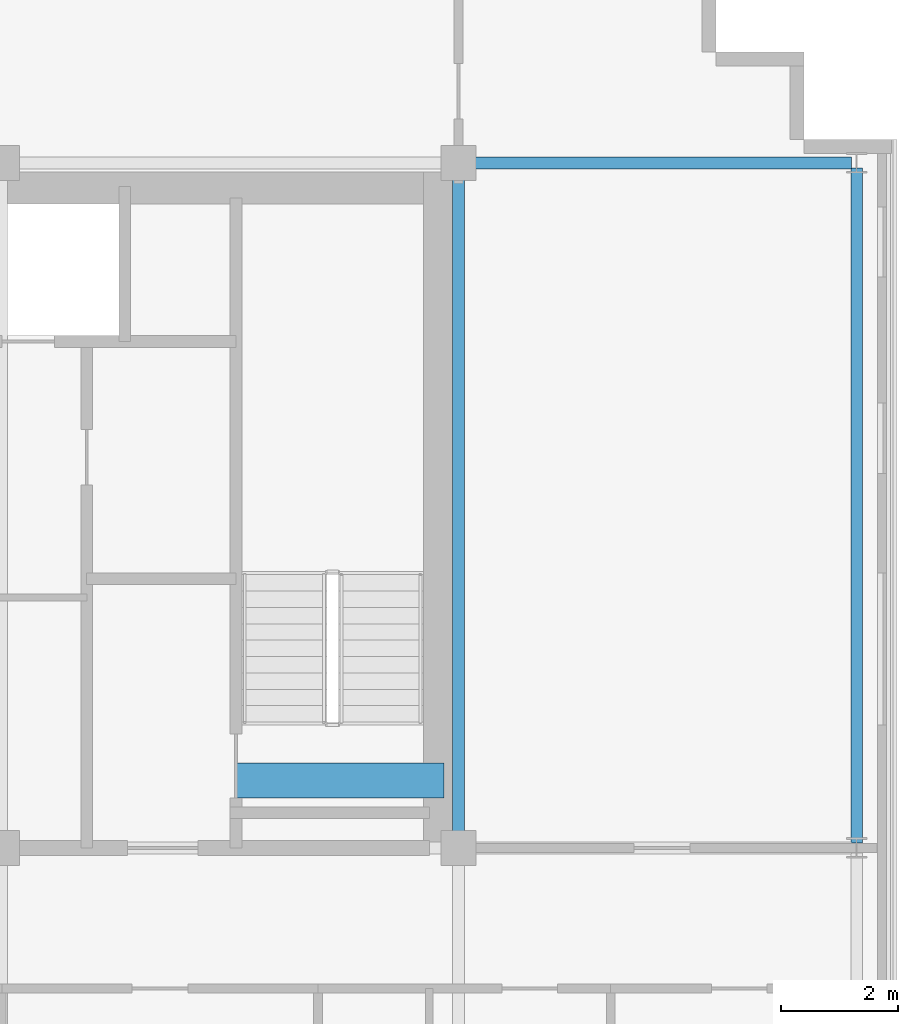
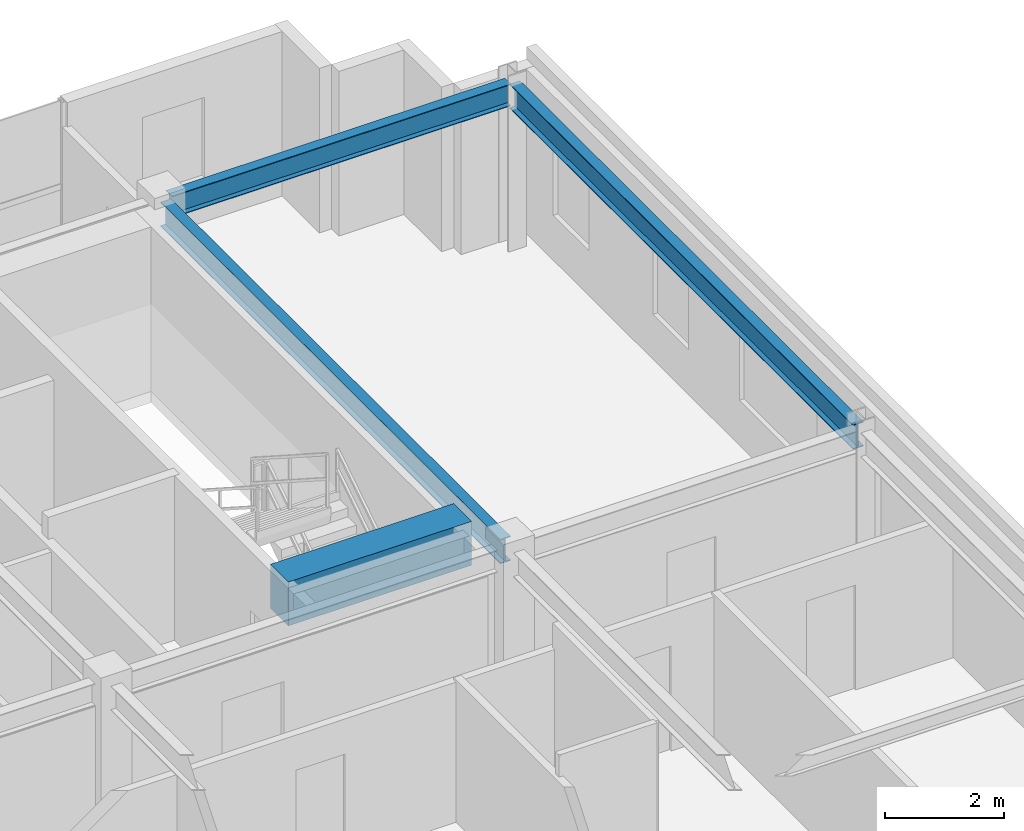
# One storey, part 13 of 23: 4 beams.
"""IFC4 building model written with IfcOpenShell, lengths in metres."""

from ifc_helpers import new_model, si_unit, direction, frame, origin, origin_2d, place, context, subcontext, project, spatial, rectangle, i_section, extrude, source, transform, mapped, material, material_profile, profile_set, type_object, element, save


model = new_model("IFC4")

# Units and contexts
model_context = context("Model", 3, precision=1e-05, world=origin(), true_north=direction((0.0, 1.0)))
body_context = subcontext(model_context, "Body", "Model", "MODEL_VIEW")
ifc_project = project(units=[si_unit("LENGTHUNIT", "METRE"), si_unit("AREAUNIT", "SQUARE_METRE"), si_unit("VOLUMEUNIT", "CUBIC_METRE"), si_unit("PLANEANGLEUNIT", "RADIAN"), si_unit("MASSUNIT", "GRAM", prefix="KILO")], contexts=[model_context])

# Site, building, storey
site_placement = place(None, origin())
site = spatial("IfcSite", under=ifc_project, at=site_placement, CompositionType="ELEMENT")
building_placement = place(site_placement, origin())
building = spatial("IfcBuilding", under=site, at=building_placement, Name="Trelvane Seafront Commons", CompositionType="ELEMENT")
storey_placement = place(building_placement, frame((0.0, 0.0, 263.10009765625)))
storey = spatial("IfcBuildingStorey", under=building, at=storey_placement, Name="L68", CompositionType="ELEMENT", Elevation=263.10009765625)

# Beams
ifc_material_1 = material(Name="Concrete C60/75", Category="concrete")
ifc_material_profile_1 = material_profile(ifc_material_1, rectangle(XDim=0.60009765625, YDim=0.89990234375, at=origin_2d()), Name="RC-600x900")
ifc_profile_set_1 = profile_set([ifc_material_profile_1], Name="Concrete C60/75")
beam_type_1 = type_object("IfcBeamType", Name="STR-LNT-RC600x900", PredefinedType="LINTEL", material=ifc_profile_set_1)
shared_shape_1 = source(origin(), body_context, "Body", "SweptSolid", [
    extrude(rectangle(XDim=0.60009765625, YDim=0.89990234375, at=origin_2d()), origin(), (0.0, 0.0, 1.0), 3.550048828125),
])
beam_1_placement = place(storey_placement, frame((55.0, 34.550048828125, 2.919921875), z_axis=(1.0, 0.0, 0.0), x_axis=(0.0, 1.0, 0.0)))
element("IfcBeam", 1, at=beam_1_placement, inside=storey, type_object=beam_type_1, Name="L68 Core Coupling Lintel Beam CB-68", PredefinedType="LINTEL", context=body_context, shape_type="MappedRepresentation", body=[
    mapped(shared_shape_1, transform((0.0, 0.0, 0.0), x_axis=(1.0, 0.0, 0.0), y_axis=(0.0, 1.0, 0.0), z_axis=(0.0, 0.0, 1.0), scale=1.0)),
])
ifc_material_2 = material(Name="Steel SM355 (S355)", Category="steel")
ifc_material_profile_2 = material_profile(ifc_material_2, i_section(OverallWidth=0.199951171875, OverallDepth=0.5, WebThickness=0.010009765625, FlangeThickness=0.01611328125, at=origin_2d()), Name="H-500x200x10x16")
ifc_profile_set_2 = profile_set([ifc_material_profile_2], Name="Steel SM355 (S355)")
beam_type_2 = type_object("IfcBeamType", Name="STR-BM-H500", PredefinedType="BEAM", material=ifc_profile_set_2)
shared_shape_2 = source(origin(), body_context, "Body", "SweptSolid", [
    extrude(i_section(OverallWidth=0.199951171875, OverallDepth=0.5, WebThickness=0.010009765625, FlangeThickness=0.01611328125, at=origin_2d()), origin(), (0.0, 0.0, 1.0), 11.39990234375),
])
beam_2_placement = place(storey_placement, frame((58.800048828125, 33.550048828125, 3.119873046875), z_axis=(0.0, 1.0, 0.0), x_axis=(-1.0, 0.0, 0.0)))
element("IfcBeam", 2, at=beam_2_placement, inside=storey, type_object=beam_type_2, Name="L68 Primary Girder G-49", PredefinedType="BEAM", context=body_context, shape_type="MappedRepresentation", body=[
    mapped(shared_shape_2, transform((0.0, 0.0, 0.0), x_axis=(1.0, 0.0, 0.0), y_axis=(0.0, 1.0, 0.0), z_axis=(0.0, 0.0, 1.0), scale=1.0)),
])
ifc_material_profile_3 = material_profile(ifc_material_2, i_section(OverallWidth=0.199951171875, OverallDepth=0.449951171875, WebThickness=0.009033203125, FlangeThickness=0.013916015625, at=origin_2d()), Name="H-450x200x9x14")
ifc_profile_set_3 = profile_set([ifc_material_profile_3], Name="Steel SM355 (S355)")
beam_type_3 = type_object("IfcBeamType", Name="STR-SPD-H450", PredefinedType="SPANDREL", material=ifc_profile_set_3)
shared_shape_3 = source(origin(), body_context, "Body", "SweptSolid", [
    extrude(i_section(OverallWidth=0.199951171875, OverallDepth=0.449951171875, WebThickness=0.009033203125, FlangeThickness=0.013916015625, at=origin_2d()), origin(), (0.0, 0.0, 1.0), 6.5625),
])
beam_3_placement = place(storey_placement, frame((58.949951171875, 45.10009765625, 3.14501953125), z_axis=(1.0, 0.0, 0.0), x_axis=(0.0, 1.0, 0.0)))
element("IfcBeam", 3, at=beam_3_placement, inside=storey, type_object=beam_type_3, Name="L68 Primary Girder G-28", PredefinedType="SPANDREL", context=body_context, shape_type="MappedRepresentation", body=[
    mapped(shared_shape_3, transform((0.0, 0.0, 0.0), x_axis=(1.0, 0.0, 0.0), y_axis=(0.0, 1.0, 0.0), z_axis=(0.0, 0.0, 1.0), scale=1.0)),
])
shared_shape_4 = source(origin(), body_context, "Body", "SweptSolid", [
    extrude(i_section(OverallWidth=0.199951171875, OverallDepth=0.5, WebThickness=0.010009765625, FlangeThickness=0.01611328125, at=origin_2d()), origin(), (0.0, 0.0, 1.0), 11.52490234375),
])
beam_4_placement = place(storey_placement, frame((65.60009765625, 33.487548828125, 3.119873046875), z_axis=(0.0, 1.0, 0.0), x_axis=(-1.0, 0.0, 0.0)))
element("IfcBeam", 4, at=beam_4_placement, inside=storey, type_object=beam_type_2, Name="L68 Primary Girder G-52", PredefinedType="BEAM", context=body_context, shape_type="MappedRepresentation", body=[
    mapped(shared_shape_4, transform((0.0, 0.0, 0.0), x_axis=(1.0, 0.0, 0.0), y_axis=(0.0, 1.0, 0.0), z_axis=(0.0, 0.0, 1.0), scale=1.0)),
])

save(model, "model.ifc")
